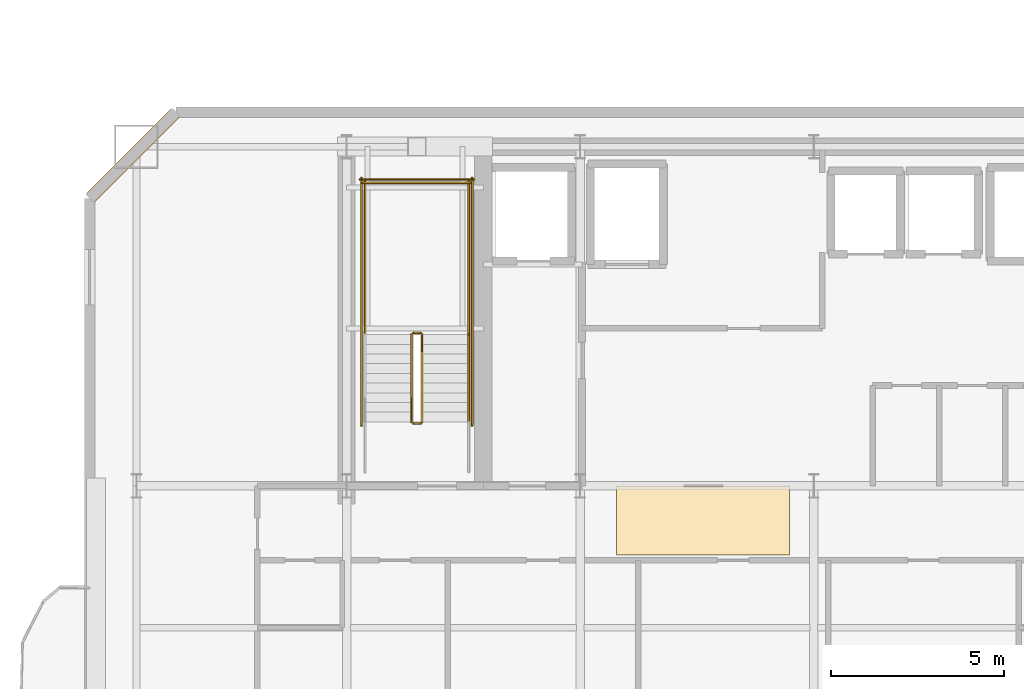
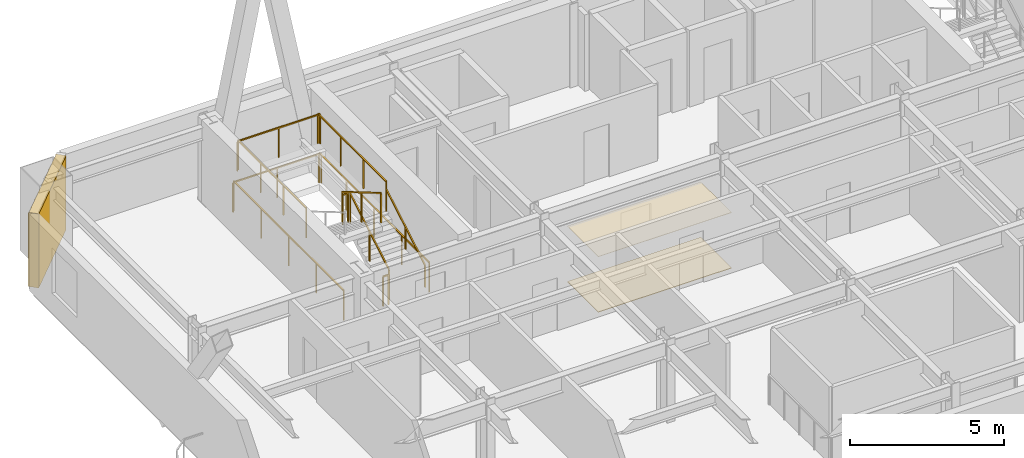
# One storey, part 16 of 19: 11 railings, 2 coverings, 1 shading device.
"""IFC4 building model written with IfcOpenShell, lengths in metres."""

from ifc_helpers import new_model, si_unit, direction, frame, origin, origin_2d, place, context, subcontext, project, spatial, polyline, rectangle, outline, extrude, material, layer, layer_set, type_object, element, save


model = new_model("IFC4")

# Units and contexts
model_context = context("Model", 3, precision=1e-05, world=origin(), true_north=direction((0.0, 1.0)))
body_context = subcontext(model_context, "Body", "Model", "MODEL_VIEW")
ifc_project = project(units=[si_unit("LENGTHUNIT", "METRE"), si_unit("AREAUNIT", "SQUARE_METRE"), si_unit("VOLUMEUNIT", "CUBIC_METRE"), si_unit("PLANEANGLEUNIT", "RADIAN"), si_unit("MASSUNIT", "GRAM", prefix="KILO")], contexts=[model_context])

# Site, building, storey
site_placement = place(None, origin())
site = spatial("IfcSite", under=ifc_project, at=site_placement, CompositionType="ELEMENT")
building_placement = place(site_placement, origin())
building = spatial("IfcBuilding", under=site, at=building_placement, Name="Haevon Station Towers", CompositionType="ELEMENT")
storey_placement = place(building_placement, frame((0.0, 0.0, 156.0)))
storey = spatial("IfcBuildingStorey", under=building, at=storey_placement, Name="L42", CompositionType="ELEMENT", Elevation=156.0)

# Coverings
ifc_material_1 = material(Name="Gypsum acoustic ceiling tile", Category="concrete")
ifc_layer_1 = layer(ifc_material_1, 0.014892578125)
ifc_layer_set_1 = layer_set([ifc_layer_1], Name="Gypsum acoustic ceiling tile")
covering_type_1 = type_object("IfcCoveringType", Name="COV-CEIL15", PredefinedType="CEILING", material=ifc_layer_set_1)
covering_1_placement = place(storey_placement, frame((0.0, 0.0, 2.199951171875)))
element("IfcCovering", 1, at=covering_1_placement, inside=storey, type_object=covering_type_1, Name="L42 Acoustic Corridor Ceiling", PredefinedType="CEILING", context=body_context, shape_type="SweptSolid", body=[
    extrude(outline(polyline([(31.800048828125, 36.199951171875), (36.800048828125, 36.199951171875), (36.800048828125, 38.199951171875), (31.800048828125, 38.199951171875), (31.800048828125, 36.199951171875)])), origin(), (0.0, 0.0, 1.0), 0.01513671875),
])
ifc_material_2 = material(Name="Granite stone paving", Category="masonry")
ifc_layer_2 = layer(ifc_material_2, 0.02001953125)
ifc_layer_set_2 = layer_set([ifc_layer_2], Name="Granite stone paving")
covering_type_2 = type_object("IfcCoveringType", Name="COV-FLR20", PredefinedType="FLOORING", material=ifc_layer_set_2)
covering_2_placement = place(storey_placement, origin())
element("IfcCovering", 2, at=covering_2_placement, inside=storey, type_object=covering_type_2, Name="L42 Corridor Stone Flooring", PredefinedType="FLOORING", context=body_context, shape_type="SweptSolid", body=[
    extrude(outline(polyline([(31.800048828125, 36.199951171875), (36.800048828125, 36.199951171875), (36.800048828125, 38.199951171875), (31.800048828125, 38.199951171875), (31.800048828125, 36.199951171875)])), origin(), (0.0, 0.0, 1.0), 0.02001953125),
])

# Railings
ifc_material_3 = material(Name="Steel S355", Category="steel")
railing_type_1 = type_object("IfcRailingType", Name="GRD-STR1200", PredefinedType="GUARDRAIL", material=ifc_material_3)
railing_1_placement = place(storey_placement, frame((26.179931640625, 40.050048828125, 0.1650390625)))
element("IfcRailing", 3, at=railing_1_placement, inside=storey, type_object=railing_type_1, Name="L42 ST1 Stair Guard 1", PredefinedType="GUARDRAIL", context=body_context, shape_type="SweptSolid", body=[
    extrude(rectangle(XDim=0.048095703125, YDim=0.048095703125, at=origin_2d()), frame((0.0, 0.0, 1.17578125), z_axis=(0.0, 0.861560626758, 0.507654692109), x_axis=(-1.0, 0.0, 0.0)), (0.0, 0.0, 1.0), 2.925048828125),
    extrude(rectangle(XDim=0.0419921875, YDim=0.0419921875, at=origin_2d()), origin(), (0.0, 0.0, 1.0), 1.15185546875),
    extrude(rectangle(XDim=0.0419921875, YDim=0.0419921875, at=origin_2d()), frame((0.0, 1.260009765625, 0.742431640625)), (0.0, 0.0, 1.0), 1.15185546875),
    extrude(rectangle(XDim=0.0419921875, YDim=0.0419921875, at=origin_2d()), frame((0.0, 2.52001953125, 1.48486328125)), (0.0, 0.0, 1.0), 1.15185546875),
])
railing_2_placement = place(storey_placement, frame((26.1298828125, 42.6201171875, 1.64990234375)))
element("IfcRailing", 4, at=railing_2_placement, inside=storey, type_object=railing_type_1, Name="L42 ST1 Stair Guard 2", PredefinedType="GUARDRAIL", context=body_context, shape_type="SweptSolid", body=[
    extrude(rectangle(XDim=0.048095703125, YDim=0.048095703125, at=origin_2d()), frame((0.0, 0.0, 1.17578125), z_axis=(-1.0, 0.0, 0.0), x_axis=(0.0, -1.0, 0.0)), (0.0, 0.0, 1.0), 0.199951171875),
    extrude(rectangle(XDim=0.0419921875, YDim=0.0419921875, at=origin_2d()), origin(), (0.0, 0.0, 1.0), 1.15185546875),
    extrude(rectangle(XDim=0.0419921875, YDim=0.0419921875, at=origin_2d()), frame((-0.199951171875, 0.0, 0.0)), (0.0, 0.0, 1.0), 1.15185546875),
])
for number, where, name in (
    (5, (27.530029296875, 42.570068359375, 1.64990234375), "L42 ST1 Stair Guard 3"),
    (6, (24.530029296875, 42.570068359375, 1.64990234375), "L42 ST1 Stair Guard 4"),
):
    element("IfcRailing", number, at=place(storey_placement, frame(where)), inside=storey, type_object=railing_type_1, Name=name, PredefinedType="GUARDRAIL", context=body_context, shape_type="SweptSolid", body=[
        extrude(rectangle(XDim=0.048095703125, YDim=0.048095703125, at=origin_2d()), frame((0.0, 0.0, 1.17578125), z_axis=(0.0, 1.0, 0.0), x_axis=(-1.0, 0.0, 0.0)), (0.0, 0.0, 1.0), 4.429931640625),
        extrude(rectangle(XDim=0.0419921875, YDim=0.0419921875, at=origin_2d()), origin(), (0.0, 0.0, 1.0), 1.15185546875),
        extrude(rectangle(XDim=0.0419921875, YDim=0.0419921875, at=origin_2d()), frame((0.0, 1.4765625, 0.0)), (0.0, 0.0, 1.0), 1.15185546875),
        extrude(rectangle(XDim=0.0419921875, YDim=0.0419921875, at=origin_2d()), frame((0.0, 2.953369140625, 0.0)), (0.0, 0.0, 1.0), 1.15185546875),
        extrude(rectangle(XDim=0.0419921875, YDim=0.0419921875, at=origin_2d()), frame((0.0, 4.429931640625, 0.0)), (0.0, 0.0, 1.0), 1.15185546875),
    ])
railing_3_placement = place(storey_placement, frame((27.580078125, 46.949951171875, 1.64990234375)))
element("IfcRailing", 7, at=railing_3_placement, inside=storey, type_object=railing_type_1, Name="L42 ST1 Stair Guard 5", PredefinedType="GUARDRAIL", context=body_context, shape_type="SweptSolid", body=[
    extrude(rectangle(XDim=0.048095703125, YDim=0.048095703125, at=origin_2d()), frame((0.0, 0.0, 1.17578125), z_axis=(-1.0, 0.0, 0.0), x_axis=(0.0, -1.0, 0.0)), (0.0, 0.0, 1.0), 3.10009765625),
    extrude(rectangle(XDim=0.0419921875, YDim=0.0419921875, at=origin_2d()), origin(), (0.0, 0.0, 1.0), 1.15185546875),
    extrude(rectangle(XDim=0.0419921875, YDim=0.0419921875, at=origin_2d()), frame((-1.550048828125, 0.0, 0.0)), (0.0, 0.0, 1.0), 1.15185546875),
    extrude(rectangle(XDim=0.0419921875, YDim=0.0419921875, at=origin_2d()), frame((-3.10009765625, 0.0, 0.0)), (0.0, 0.0, 1.0), 1.15185546875),
])
railing_4_placement = place(storey_placement, frame((25.8798828125, 42.570068359375, 1.81494140625)))
element("IfcRailing", 8, at=railing_4_placement, inside=storey, type_object=railing_type_1, Name="L42 ST1 Stair Guard 6", PredefinedType="GUARDRAIL", context=body_context, shape_type="SweptSolid", body=[
    extrude(rectangle(XDim=0.048095703125, YDim=0.048095703125, at=origin_2d()), frame((0.0, 0.0, 1.17578125), z_axis=(0.0, -0.86152411907, 0.507716645641), x_axis=(1.0, 0.0, 0.0)), (0.0, 0.0, 1.0), 2.925048828125),
    extrude(rectangle(XDim=0.0419921875, YDim=0.0419921875, at=origin_2d()), origin(), (0.0, 0.0, 1.0), 1.15185546875),
    extrude(rectangle(XDim=0.0419921875, YDim=0.0419921875, at=origin_2d()), frame((0.0, -1.260009765625, 0.74267578125)), (0.0, 0.0, 1.0), 1.15185546875),
    extrude(rectangle(XDim=0.0419921875, YDim=0.0419921875, at=origin_2d()), frame((0.0, -2.52001953125, 1.485107421875)), (0.0, 0.0, 1.0), 1.15185546875),
])
railing_5_placement = place(storey_placement, frame((26.1298828125, 40.0, 0.0)))
element("IfcRailing", 9, at=railing_5_placement, inside=storey, type_object=railing_type_1, Name="L42 ST1 Stair Guard 7", PredefinedType="GUARDRAIL", context=body_context, shape_type="SweptSolid", body=[
    extrude(rectangle(XDim=0.048095703125, YDim=0.048095703125, at=origin_2d()), frame((0.0, 0.0, 1.17578125), z_axis=(-1.0, 0.0, 0.0), x_axis=(0.0, -1.0, 0.0)), (0.0, 0.0, 1.0), 0.199951171875),
    extrude(rectangle(XDim=0.0419921875, YDim=0.0419921875, at=origin_2d()), origin(), (0.0, 0.0, 1.0), 1.15185546875),
    extrude(rectangle(XDim=0.0419921875, YDim=0.0419921875, at=origin_2d()), frame((-0.199951171875, 0.0, 0.0)), (0.0, 0.0, 1.0), 1.15185546875),
])
for number, where, name in (
    (10, (27.6298828125, 39.949951171875, 0.0), "L42 ST1 Stair Guard 10"),
    (11, (24.429931640625, 39.949951171875, 0.0), "L42 ST1 Stair Guard 11"),
):
    element("IfcRailing", number, at=place(storey_placement, frame(where)), inside=storey, type_object=railing_type_1, Name=name, PredefinedType="GUARDRAIL", context=body_context, shape_type="SweptSolid", body=[
        extrude(rectangle(XDim=0.048095703125, YDim=0.048095703125, at=origin_2d()), frame((0.0, 0.0, 1.17578125), z_axis=(0.0, 1.0, 0.0), x_axis=(-1.0, 0.0, 0.0)), (0.0, 0.0, 1.0), 7.150146484375),
        extrude(rectangle(XDim=0.0419921875, YDim=0.0419921875, at=origin_2d()), origin(), (0.0, 0.0, 1.0), 1.15185546875),
        extrude(rectangle(XDim=0.0419921875, YDim=0.0419921875, at=origin_2d()), frame((0.0, 1.78759765625, 0.0)), (0.0, 0.0, 1.0), 1.15185546875),
        extrude(rectangle(XDim=0.0419921875, YDim=0.0419921875, at=origin_2d()), frame((0.0, 3.5751953125, 0.0)), (0.0, 0.0, 1.0), 1.15185546875),
        extrude(rectangle(XDim=0.0419921875, YDim=0.0419921875, at=origin_2d()), frame((0.0, 5.362548828125, 0.0)), (0.0, 0.0, 1.0), 1.15185546875),
        extrude(rectangle(XDim=0.0419921875, YDim=0.0419921875, at=origin_2d()), frame((0.0, 7.150146484375, 0.0)), (0.0, 0.0, 1.0), 1.15185546875),
    ])
railing_6_placement = place(storey_placement, frame((27.679931640625, 47.050048828125, 0.0)))
element("IfcRailing", 12, at=railing_6_placement, inside=storey, type_object=railing_type_1, Name="L42 ST1 Stair Guard 12", PredefinedType="GUARDRAIL", context=body_context, shape_type="SweptSolid", body=[
    extrude(rectangle(XDim=0.048095703125, YDim=0.048095703125, at=origin_2d()), frame((0.0, 0.0, 1.17578125), z_axis=(-1.0, 0.0, 0.0), x_axis=(0.0, -1.0, 0.0)), (0.0, 0.0, 1.0), 3.300048828125),
    extrude(rectangle(XDim=0.0419921875, YDim=0.0419921875, at=origin_2d()), origin(), (0.0, 0.0, 1.0), 1.15185546875),
    extrude(rectangle(XDim=0.0419921875, YDim=0.0419921875, at=origin_2d()), frame((-1.64990234375, 0.0, 0.0)), (0.0, 0.0, 1.0), 1.15185546875),
    extrude(rectangle(XDim=0.0419921875, YDim=0.0419921875, at=origin_2d()), frame((-3.300048828125, 0.0, 0.0)), (0.0, 0.0, 1.0), 1.15185546875),
])
railing_type_2 = type_object("IfcRailingType", Name="HND-STR900", PredefinedType="HANDRAIL", material=ifc_material_3)
railing_7_placement = place(storey_placement, frame((27.530029296875, 40.050048828125, 0.1650390625)))
element("IfcRailing", 13, at=railing_7_placement, inside=storey, type_object=railing_type_2, Name="L42 ST1 Stair Handrail 1", PredefinedType="HANDRAIL", context=body_context, shape_type="SweptSolid", body=[
    extrude(rectangle(XDim=0.048095703125, YDim=0.048095703125, at=origin_2d()), frame((0.0, 0.0, 0.8759765625), z_axis=(0.0, 0.861560626758, 0.507654692109), x_axis=(-1.0, 0.0, 0.0)), (0.0, 0.0, 1.0), 2.925048828125),
    extrude(rectangle(XDim=0.0419921875, YDim=0.0419921875, at=origin_2d()), origin(), (0.0, 0.0, 1.0), 0.851806640625),
    extrude(rectangle(XDim=0.0419921875, YDim=0.0419921875, at=origin_2d()), frame((0.0, 1.260009765625, 0.742431640625)), (0.0, 0.0, 1.0), 0.851806640625),
    extrude(rectangle(XDim=0.0419921875, YDim=0.0419921875, at=origin_2d()), frame((0.0, 2.52001953125, 1.48486328125)), (0.0, 0.0, 1.0), 0.851806640625),
])

# Shading device
ifc_material_4 = material(Name="Anodised aluminium 6063-T6", Category="aluminium")
ifc_layer_3 = layer(ifc_material_4, 0.139892578125)
ifc_layer_set_3 = layer_set([ifc_layer_3], Name="Anodised aluminium 6063-T6")
shading_device_type = type_object("IfcShadingDeviceType", Name="SHD-WIND-BAFFLE", PredefinedType="SHUTTER", material=ifc_layer_set_3)
shading_device_placement = place(storey_placement, frame((17.824951171875, 47.75, 0.0498046875), z_axis=(0.0, 0.0, 1.0), x_axis=(0.707106781187, 0.707106781187, 0.0)))
element("IfcShadingDevice", 14, at=shading_device_placement, inside=storey, type_object=shading_device_type, Name="Tower 1 L42 Wind-Corner Aerofoil Baffle NWC", PredefinedType="SHUTTER", context=body_context, shape_type="SweptSolid", body=[
    extrude(rectangle(XDim=3.435546875, YDim=0.340087890625, at=origin_2d()), origin(), (0.0, 0.0, 1.0), 2.929931640625),
])

save(model, "model.ifc")
